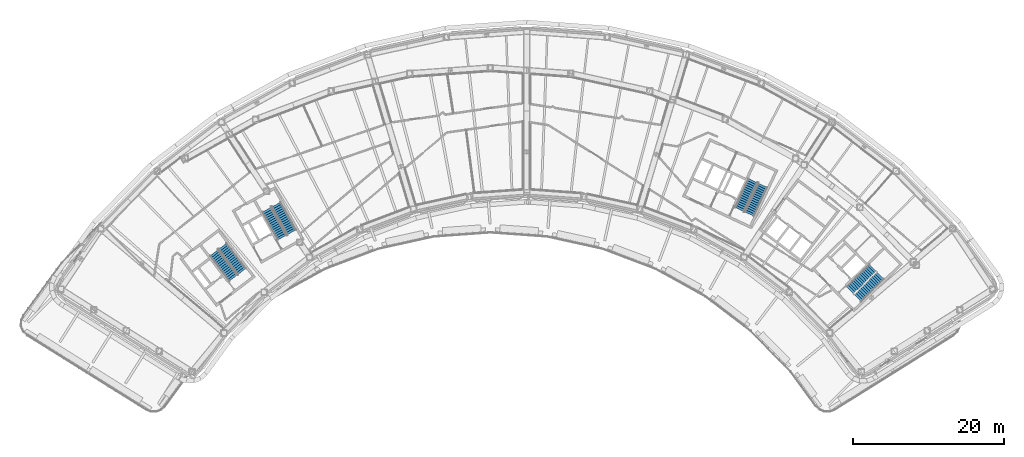
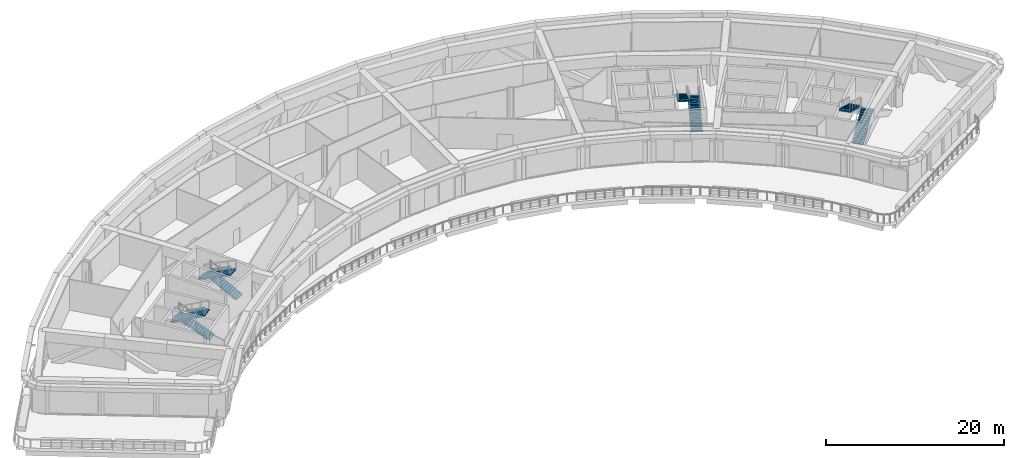
# One storey, part 12 of 25: 8 stair flights, 4 elements without a shape of their own.
"""IFC4 building model written with IfcOpenShell, lengths in metres."""

from ifc_helpers import new_model, si_unit, direction, frame, origin, place, context, subcontext, project, spatial, polyline, outline, extrude, material, type_object, element, aggregate, save


model = new_model("IFC4")

# Units and contexts
model_context = context("Model", 3, precision=1e-05, world=origin(), true_north=direction((0.0, 1.0)))
body_context = subcontext(model_context, "Body", "Model", "MODEL_VIEW")
ifc_project = project(units=[si_unit("LENGTHUNIT", "METRE"), si_unit("AREAUNIT", "SQUARE_METRE"), si_unit("VOLUMEUNIT", "CUBIC_METRE"), si_unit("PLANEANGLEUNIT", "RADIAN"), si_unit("MASSUNIT", "GRAM", prefix="KILO")], contexts=[model_context])

# Site, building, storey
site_placement = place(None, origin())
site = spatial("IfcSite", under=ifc_project, at=site_placement, CompositionType="ELEMENT")
building_placement = place(site_placement, origin())
building = spatial("IfcBuilding", under=site, at=building_placement, Name="Tuul Gate Civic Tower", CompositionType="ELEMENT")
storey_placement = place(building_placement, frame((0.0, 0.0, 60.89990234375)))
storey = spatial("IfcBuildingStorey", under=building, at=storey_placement, Name="Plant and refuge floor 2", CompositionType="ELEMENT", Elevation=60.89990234375)

# Stair, stair flights
ifc_material_1 = material(Name="Concrete C40/50", Category="concrete")
stair_type = type_object("IfcStairType", Name="Exit stair", PredefinedType="HALF_TURN_STAIR", material=ifc_material_1)
stair_1_placement = place(storey_placement, origin())
stair_1 = element("IfcStair", 1, at=stair_1_placement, inside=storey, type_object=stair_type, Name="Plant and refuge floor 2 ST-1", PredefinedType="HALF_TURN_STAIR")
ifc_material_2 = material(Name="Concrete C40/50", Category="concrete")
stair_flight_type = type_object("IfcStairFlightType", Name="Exit stair flight", PredefinedType="STRAIGHT", material=ifc_material_2)
stair_flight_1_placement = place(storey_placement, frame((-32.875244140625, -13.066650390625, 0.0), z_axis=(0.0, 0.0, 1.0), x_axis=(-0.605764474941, 0.795644016442, 0.0)))
stair_flight_1 = element("IfcStairFlight", 2, at=stair_flight_1_placement, type_object=stair_flight_type, Name="ST-1 flight 1", NumberOfRisers=15, NumberOfTreads=14, PredefinedType="STRAIGHT", RiserHeight=0.15, TreadLength=0.3, context=body_context, shape_type="SweptSolid", body=[
    extrude(outline(polyline([(0.0, 0.0), (0.0, 0.14990234375), (0.300048828125, 0.14990234375), (0.300048828125, 0.300048828125), (0.60009765625, 0.300048828125), (0.60009765625, 0.449951171875), (0.89990234375, 0.449951171875), (0.89990234375, 0.60009765625), (1.199951171875, 0.60009765625), (1.199951171875, 0.75), (1.5, 0.75), (1.5, 0.89990234375), (1.800048828125, 0.89990234375), (1.800048828125, 1.050048828125), (2.10009765625, 1.050048828125), (2.10009765625, 1.199951171875), (2.39990234375, 1.199951171875), (2.39990234375, 1.35009765625), (2.699951171875, 1.35009765625), (2.699951171875, 1.5), (3.0, 1.5), (3.0, 1.64990234375), (3.300048828125, 1.64990234375), (3.300048828125, 1.800048828125), (3.60009765625, 1.800048828125), (3.60009765625, 1.949951171875), (3.89990234375, 1.949951171875), (3.89990234375, 2.10009765625), (4.199951171875, 2.10009765625), (4.199951171875, 2.25), (4.199951171875, 1.932373046875), (0.335205078125, 0.0), (0.0, 0.0)])), frame((0.0, 0.675048828125, 0.0), z_axis=(0.0, -1.0, 0.0), x_axis=(1.0, 0.0, 0.0)), (0.0, 0.0, 1.0), 1.35009765625),
])
stair_flight_2_placement = place(storey_placement, frame((-36.5732421875, -10.603515625, 2.25), z_axis=(0.0, 0.0, 1.0), x_axis=(0.605764474941, -0.795644016442, 0.0)))
stair_flight_2 = element("IfcStairFlight", 3, at=stair_flight_2_placement, type_object=stair_flight_type, Name="ST-1 flight 2", NumberOfRisers=15, NumberOfTreads=14, PredefinedType="STRAIGHT", RiserHeight=0.15, TreadLength=0.3, context=body_context, shape_type="SweptSolid", body=[
    extrude(outline(polyline([(0.0, 0.0), (0.0, 0.14990234375), (0.300048828125, 0.14990234375), (0.300048828125, 0.300048828125), (0.60009765625, 0.300048828125), (0.60009765625, 0.449951171875), (0.89990234375, 0.449951171875), (0.89990234375, 0.60009765625), (1.199951171875, 0.60009765625), (1.199951171875, 0.75), (1.5, 0.75), (1.5, 0.89990234375), (1.800048828125, 0.89990234375), (1.800048828125, 1.050048828125), (2.10009765625, 1.050048828125), (2.10009765625, 1.199951171875), (2.39990234375, 1.199951171875), (2.39990234375, 1.35009765625), (2.699951171875, 1.35009765625), (2.699951171875, 1.5), (3.0, 1.5), (3.0, 1.64990234375), (3.300048828125, 1.64990234375), (3.300048828125, 1.800048828125), (3.60009765625, 1.800048828125), (3.60009765625, 1.949951171875), (3.89990234375, 1.949951171875), (3.89990234375, 2.10009765625), (4.199951171875, 2.10009765625), (4.199951171875, 2.25), (4.199951171875, 1.932373046875), (0.335205078125, 0.0), (0.0, 0.0)])), frame((0.0, 0.675048828125, 0.0), z_axis=(0.0, -1.0, 0.0), x_axis=(1.0, 0.0, 0.0)), (0.0, 0.0, 1.0), 1.35009765625),
])
aggregate(stair_1, [stair_flight_1, stair_flight_2])

stair_2_placement = place(storey_placement, origin())
stair_2 = element("IfcStair", 4, at=stair_2_placement, inside=storey, type_object=stair_type, Name="Plant and refuge floor 2 ST-2", PredefinedType="HALF_TURN_STAIR")
stair_flight_3_placement = place(storey_placement, frame((-26.29150390625, -7.87646484375, 0.0), z_axis=(0.0, 0.0, 1.0), x_axis=(-0.484761763766, 0.874646232708, 0.0)))
stair_flight_3 = element("IfcStairFlight", 5, at=stair_flight_3_placement, type_object=stair_flight_type, Name="ST-2 flight 1", NumberOfRisers=15, NumberOfTreads=14, PredefinedType="STRAIGHT", RiserHeight=0.15, TreadLength=0.3, context=body_context, shape_type="SweptSolid", body=[
    extrude(outline(polyline([(0.0, 0.0), (0.0, 0.14990234375), (0.300048828125, 0.14990234375), (0.300048828125, 0.300048828125), (0.60009765625, 0.300048828125), (0.60009765625, 0.449951171875), (0.89990234375, 0.449951171875), (0.89990234375, 0.60009765625), (1.199951171875, 0.60009765625), (1.199951171875, 0.75), (1.5, 0.75), (1.5, 0.89990234375), (1.800048828125, 0.89990234375), (1.800048828125, 1.050048828125), (2.10009765625, 1.050048828125), (2.10009765625, 1.199951171875), (2.39990234375, 1.199951171875), (2.39990234375, 1.35009765625), (2.699951171875, 1.35009765625), (2.699951171875, 1.5), (3.0, 1.5), (3.0, 1.64990234375), (3.300048828125, 1.64990234375), (3.300048828125, 1.800048828125), (3.60009765625, 1.800048828125), (3.60009765625, 1.949951171875), (3.89990234375, 1.949951171875), (3.89990234375, 2.10009765625), (4.199951171875, 2.10009765625), (4.199951171875, 2.25), (4.199951171875, 1.932373046875), (0.335205078125, 0.0), (0.0, 0.0)])), frame((0.0, 0.675048828125, 0.0), z_axis=(0.0, -1.0, 0.0), x_axis=(1.0, 0.0, 0.0)), (0.0, 0.0, 1.0), 1.35009765625),
])
stair_flight_4_placement = place(storey_placement, frame((-29.595947265625, -4.90576171875, 2.25), z_axis=(0.0, 0.0, 1.0), x_axis=(0.484761763766, -0.874646232708, 0.0)))
stair_flight_4 = element("IfcStairFlight", 6, at=stair_flight_4_placement, type_object=stair_flight_type, Name="ST-2 flight 2", NumberOfRisers=15, NumberOfTreads=14, PredefinedType="STRAIGHT", RiserHeight=0.15, TreadLength=0.3, context=body_context, shape_type="SweptSolid", body=[
    extrude(outline(polyline([(0.0, 0.0), (0.0, 0.14990234375), (0.300048828125, 0.14990234375), (0.300048828125, 0.300048828125), (0.60009765625, 0.300048828125), (0.60009765625, 0.449951171875), (0.89990234375, 0.449951171875), (0.89990234375, 0.60009765625), (1.199951171875, 0.60009765625), (1.199951171875, 0.75), (1.5, 0.75), (1.5, 0.89990234375), (1.800048828125, 0.89990234375), (1.800048828125, 1.050048828125), (2.10009765625, 1.050048828125), (2.10009765625, 1.199951171875), (2.39990234375, 1.199951171875), (2.39990234375, 1.35009765625), (2.699951171875, 1.35009765625), (2.699951171875, 1.5), (3.0, 1.5), (3.0, 1.64990234375), (3.300048828125, 1.64990234375), (3.300048828125, 1.800048828125), (3.60009765625, 1.800048828125), (3.60009765625, 1.949951171875), (3.89990234375, 1.949951171875), (3.89990234375, 2.10009765625), (4.199951171875, 2.10009765625), (4.199951171875, 2.25), (4.199951171875, 1.932373046875), (0.335205078125, 0.0), (0.0, 0.0)])), frame((0.0, 0.675048828125, 0.0), z_axis=(0.0, -1.0, 0.0), x_axis=(1.0, 0.0, 0.0)), (0.0, 0.0, 1.0), 1.35009765625),
])
aggregate(stair_2, [stair_flight_3, stair_flight_4])

stair_3_placement = place(storey_placement, origin())
stair_3 = element("IfcStair", 7, at=stair_3_placement, inside=storey, type_object=stair_type, Name="Plant and refuge floor 2 ST-3", PredefinedType="HALF_TURN_STAIR")
stair_flight_5_placement = place(storey_placement, frame((48.61376953125, -16.581787109375, 0.0), z_axis=(0.0, 0.0, 1.0), x_axis=(0.714127290059, 0.700015866672, 0.0)))
stair_flight_5 = element("IfcStairFlight", 8, at=stair_flight_5_placement, type_object=stair_flight_type, Name="ST-3 flight 1", NumberOfRisers=15, NumberOfTreads=14, PredefinedType="STRAIGHT", RiserHeight=0.15, TreadLength=0.3, context=body_context, shape_type="SweptSolid", body=[
    extrude(outline(polyline([(0.0, 0.0), (0.0, 0.14990234375), (0.300048828125, 0.14990234375), (0.300048828125, 0.300048828125), (0.60009765625, 0.300048828125), (0.60009765625, 0.449951171875), (0.89990234375, 0.449951171875), (0.89990234375, 0.60009765625), (1.199951171875, 0.60009765625), (1.199951171875, 0.75), (1.5, 0.75), (1.5, 0.89990234375), (1.800048828125, 0.89990234375), (1.800048828125, 1.050048828125), (2.10009765625, 1.050048828125), (2.10009765625, 1.199951171875), (2.39990234375, 1.199951171875), (2.39990234375, 1.35009765625), (2.699951171875, 1.35009765625), (2.699951171875, 1.5), (3.0, 1.5), (3.0, 1.64990234375), (3.300048828125, 1.64990234375), (3.300048828125, 1.800048828125), (3.60009765625, 1.800048828125), (3.60009765625, 1.949951171875), (3.89990234375, 1.949951171875), (3.89990234375, 2.10009765625), (4.199951171875, 2.10009765625), (4.199951171875, 2.25), (4.199951171875, 1.932373046875), (0.335205078125, 0.0), (0.0, 0.0)])), frame((0.0, 0.675048828125, 0.0), z_axis=(0.0, -1.0, 0.0), x_axis=(1.0, 0.0, 0.0)), (0.0, 0.0, 1.0), 1.35009765625),
])
stair_flight_6_placement = place(storey_placement, frame((50.59814453125, -12.606201171875, 2.25), z_axis=(0.0, 0.0, 1.0), x_axis=(-0.714127290059, -0.700015866672, 0.0)))
stair_flight_6 = element("IfcStairFlight", 9, at=stair_flight_6_placement, type_object=stair_flight_type, Name="ST-3 flight 2", NumberOfRisers=15, NumberOfTreads=14, PredefinedType="STRAIGHT", RiserHeight=0.15, TreadLength=0.3, context=body_context, shape_type="SweptSolid", body=[
    extrude(outline(polyline([(0.0, 0.0), (0.0, 0.14990234375), (0.300048828125, 0.14990234375), (0.300048828125, 0.300048828125), (0.60009765625, 0.300048828125), (0.60009765625, 0.449951171875), (0.89990234375, 0.449951171875), (0.89990234375, 0.60009765625), (1.199951171875, 0.60009765625), (1.199951171875, 0.75), (1.5, 0.75), (1.5, 0.89990234375), (1.800048828125, 0.89990234375), (1.800048828125, 1.050048828125), (2.10009765625, 1.050048828125), (2.10009765625, 1.199951171875), (2.39990234375, 1.199951171875), (2.39990234375, 1.35009765625), (2.699951171875, 1.35009765625), (2.699951171875, 1.5), (3.0, 1.5), (3.0, 1.64990234375), (3.300048828125, 1.64990234375), (3.300048828125, 1.800048828125), (3.60009765625, 1.800048828125), (3.60009765625, 1.949951171875), (3.89990234375, 1.949951171875), (3.89990234375, 2.10009765625), (4.199951171875, 2.10009765625), (4.199951171875, 2.25), (4.199951171875, 1.932373046875), (0.335205078125, 0.0), (0.0, 0.0)])), frame((0.0, 0.675048828125, 0.0), z_axis=(0.0, -1.0, 0.0), x_axis=(1.0, 0.0, 0.0)), (0.0, 0.0, 1.0), 1.35009765625),
])
aggregate(stair_3, [stair_flight_5, stair_flight_6])

stair_4_placement = place(storey_placement, origin())
stair_4 = element("IfcStair", 10, at=stair_4_placement, inside=storey, type_object=stair_type, Name="Plant and refuge floor 2 ST-4", PredefinedType="HALF_TURN_STAIR")
stair_flight_7_placement = place(storey_placement, frame((34.278564453125, -5.478515625, 0.0), z_axis=(0.0, 0.0, 1.0), x_axis=(0.422576295988, 0.906327354806, 0.0)))
stair_flight_7 = element("IfcStairFlight", 11, at=stair_flight_7_placement, type_object=stair_flight_type, Name="ST-4 flight 1", NumberOfRisers=15, NumberOfTreads=14, PredefinedType="STRAIGHT", RiserHeight=0.15, TreadLength=0.3, context=body_context, shape_type="SweptSolid", body=[
    extrude(outline(polyline([(0.0, 0.0), (0.0, 0.14990234375), (0.300048828125, 0.14990234375), (0.300048828125, 0.300048828125), (0.60009765625, 0.300048828125), (0.60009765625, 0.449951171875), (0.89990234375, 0.449951171875), (0.89990234375, 0.60009765625), (1.199951171875, 0.60009765625), (1.199951171875, 0.75), (1.5, 0.75), (1.5, 0.89990234375), (1.800048828125, 0.89990234375), (1.800048828125, 1.050048828125), (2.10009765625, 1.050048828125), (2.10009765625, 1.199951171875), (2.39990234375, 1.199951171875), (2.39990234375, 1.35009765625), (2.699951171875, 1.35009765625), (2.699951171875, 1.5), (3.0, 1.5), (3.0, 1.64990234375), (3.300048828125, 1.64990234375), (3.300048828125, 1.800048828125), (3.60009765625, 1.800048828125), (3.60009765625, 1.949951171875), (3.89990234375, 1.949951171875), (3.89990234375, 2.10009765625), (4.199951171875, 2.10009765625), (4.199951171875, 2.25), (4.199951171875, 1.932373046875), (0.335205078125, 0.0), (0.0, 0.0)])), frame((0.0, 0.675048828125, 0.0), z_axis=(0.0, -1.0, 0.0), x_axis=(1.0, 0.0, 0.0)), (0.0, 0.0, 1.0), 1.35009765625),
])
stair_flight_8_placement = place(storey_placement, frame((34.7392578125, -1.059326171875, 2.25), z_axis=(0.0, 0.0, 1.0), x_axis=(-0.422576295988, -0.906327354806, 0.0)))
stair_flight_8 = element("IfcStairFlight", 12, at=stair_flight_8_placement, type_object=stair_flight_type, Name="ST-4 flight 2", NumberOfRisers=15, NumberOfTreads=14, PredefinedType="STRAIGHT", RiserHeight=0.15, TreadLength=0.3, context=body_context, shape_type="SweptSolid", body=[
    extrude(outline(polyline([(0.0, 0.0), (0.0, 0.14990234375), (0.300048828125, 0.14990234375), (0.300048828125, 0.300048828125), (0.60009765625, 0.300048828125), (0.60009765625, 0.449951171875), (0.89990234375, 0.449951171875), (0.89990234375, 0.60009765625), (1.199951171875, 0.60009765625), (1.199951171875, 0.75), (1.5, 0.75), (1.5, 0.89990234375), (1.800048828125, 0.89990234375), (1.800048828125, 1.050048828125), (2.10009765625, 1.050048828125), (2.10009765625, 1.199951171875), (2.39990234375, 1.199951171875), (2.39990234375, 1.35009765625), (2.699951171875, 1.35009765625), (2.699951171875, 1.5), (3.0, 1.5), (3.0, 1.64990234375), (3.300048828125, 1.64990234375), (3.300048828125, 1.800048828125), (3.60009765625, 1.800048828125), (3.60009765625, 1.949951171875), (3.89990234375, 1.949951171875), (3.89990234375, 2.10009765625), (4.199951171875, 2.10009765625), (4.199951171875, 2.25), (4.199951171875, 1.932373046875), (0.335205078125, 0.0), (0.0, 0.0)])), frame((0.0, 0.675048828125, 0.0), z_axis=(0.0, -1.0, 0.0), x_axis=(1.0, 0.0, 0.0)), (0.0, 0.0, 1.0), 1.35009765625),
])
aggregate(stair_4, [stair_flight_7, stair_flight_8])

save(model, "model.ifc")
